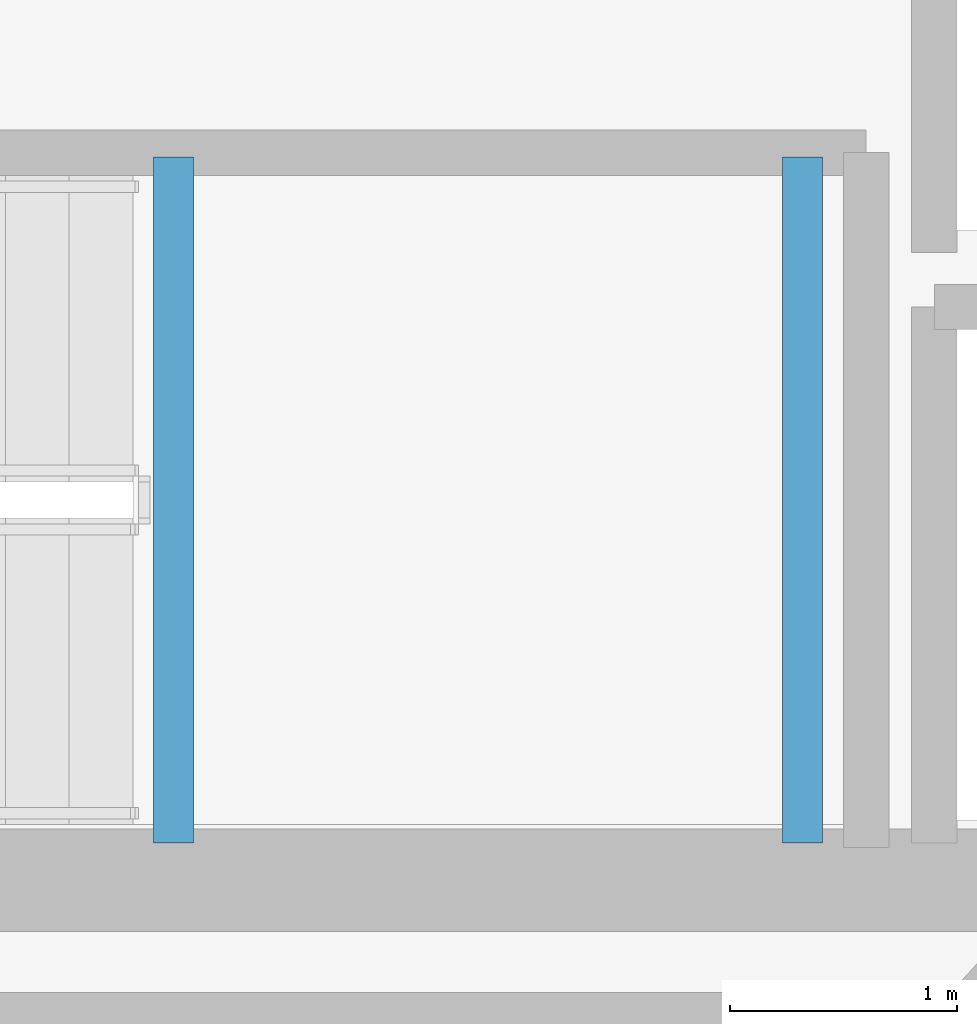
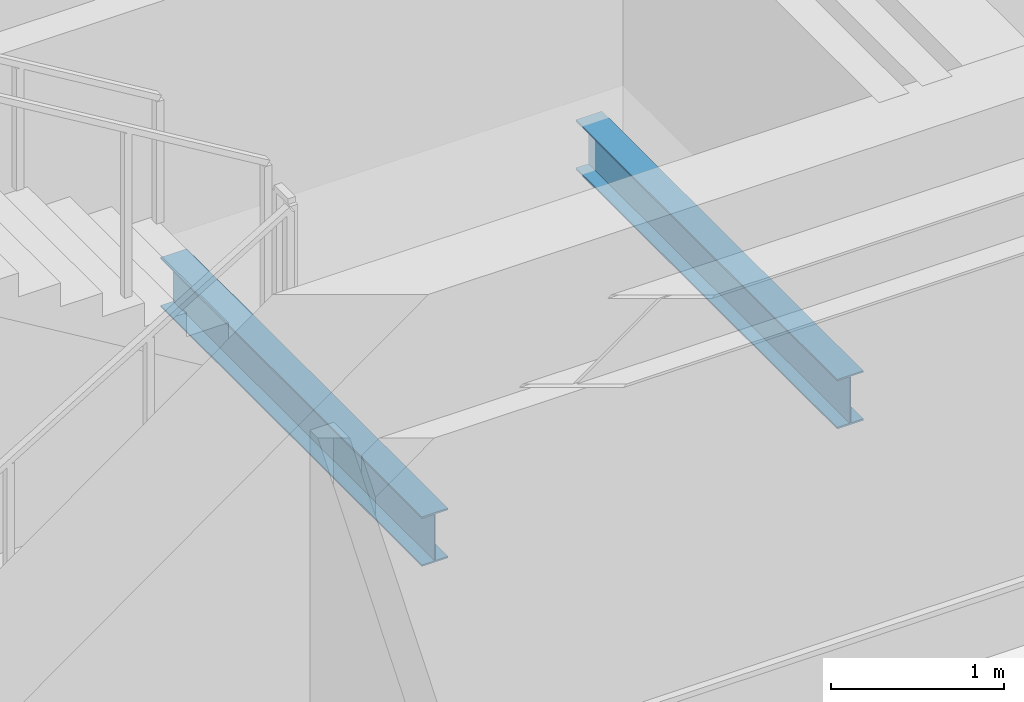
# One storey, part 13 of 25: 2 beams.
"""IFC4 building model written with IfcOpenShell, lengths in metres."""

from ifc_helpers import new_model, si_unit, direction, frame, origin, origin_2d, place, context, subcontext, project, spatial, i_section, extrude, material, material_profile, profile_set, type_object, element, save


model = new_model("IFC4")

# Units and contexts
model_context = context("Model", 3, precision=1e-05, world=origin(), true_north=direction((0.0, 1.0)))
body_context = subcontext(model_context, "Body", "Model", "MODEL_VIEW")
ifc_project = project(units=[si_unit("LENGTHUNIT", "METRE"), si_unit("AREAUNIT", "SQUARE_METRE"), si_unit("VOLUMEUNIT", "CUBIC_METRE"), si_unit("PLANEANGLEUNIT", "RADIAN"), si_unit("MASSUNIT", "GRAM", prefix="KILO")], contexts=[model_context])

# Site, building, storey
site_placement = place(None, origin())
site = spatial("IfcSite", under=ifc_project, at=site_placement, CompositionType="ELEMENT")
building_placement = place(site_placement, origin())
building = spatial("IfcBuilding", under=site, at=building_placement, Name="Qianvela Tower", CompositionType="ELEMENT")
storey_placement = place(building_placement, frame((0.0, 0.0, 291.699951171875)))
storey = spatial("IfcBuildingStorey", under=building, at=storey_placement, Name="L75", CompositionType="ELEMENT", Elevation=291.699951171875)

# Beams
ifc_material = material(Name="Steel Q355B", Category="steel")
ifc_material_profile = material_profile(ifc_material, i_section(OverallWidth=0.175048828125, OverallDepth=0.35009765625, WebThickness=0.007080078125, FlangeThickness=0.010986328125, at=origin_2d()), Name="HN350x175x7x11")
ifc_profile_set = profile_set([ifc_material_profile], Name="Steel Q355B")
beam_type = type_object("IfcBeamType", Name="BM-HN350-JOIST", PredefinedType="JOIST", material=ifc_profile_set)
for number, where, z_axis, x_axis, name in (
    (1, (34.39990234375, 24.919921875, 1.47509765625), (0.0, 1.0, 0.0), (-1.0, 0.0, 0.0), "L75 Stair ST-2 Landing Support Beam 1.1"),
    (2, (37.169921875, 24.919921875, 1.47509765625), (0.0, 1.0, 0.0), (-1.0, 0.0, 0.0), "L75 Stair ST-2 Landing Support Beam 1.2"),
):
    element("IfcBeam", number, at=place(storey_placement, frame(where, z_axis=z_axis, x_axis=x_axis)), inside=storey, type_object=beam_type, Name=name, PredefinedType="JOIST", context=body_context, shape_type="SweptSolid", body=[
        extrude(i_section(OverallWidth=0.175048828125, OverallDepth=0.35009765625, WebThickness=0.007080078125, FlangeThickness=0.010986328125, at=origin_2d()), origin(), (0.0, 0.0, 1.0), 3.02001953125),
    ])

save(model, "model.ifc")
